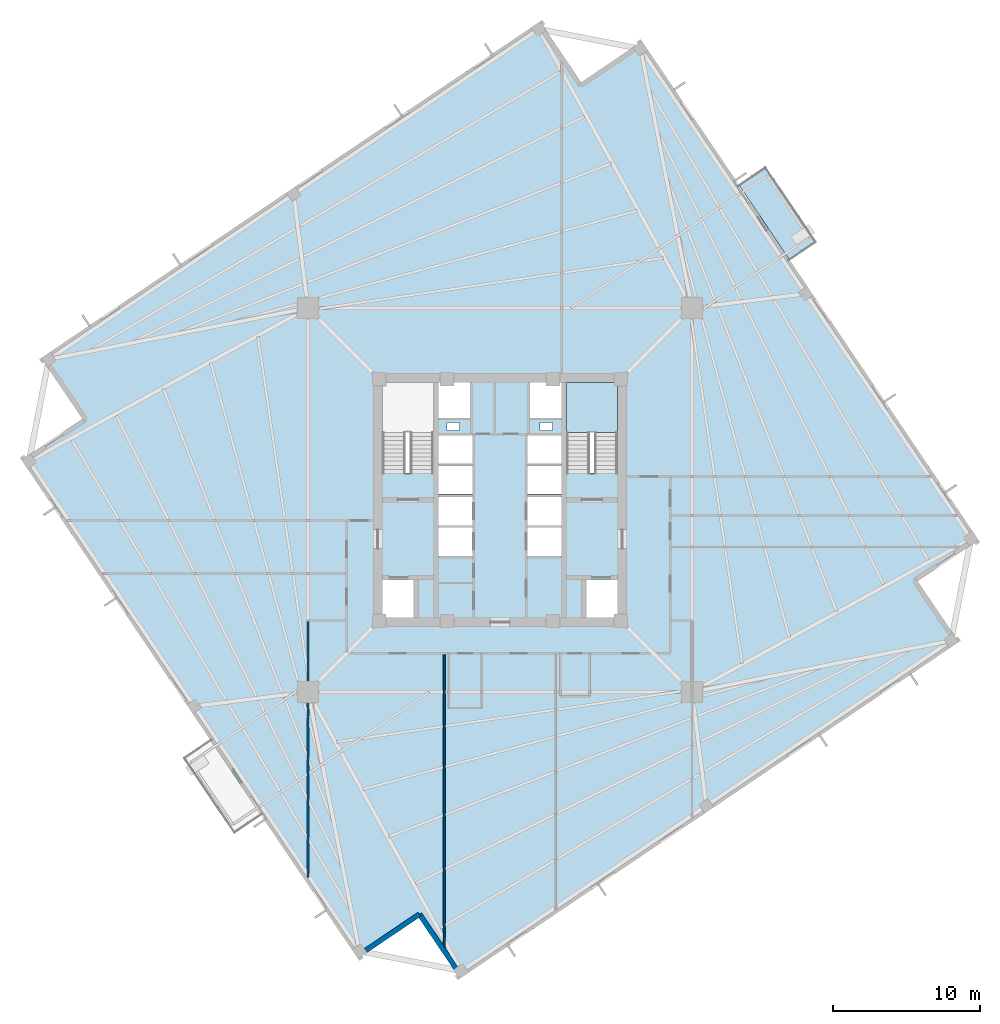
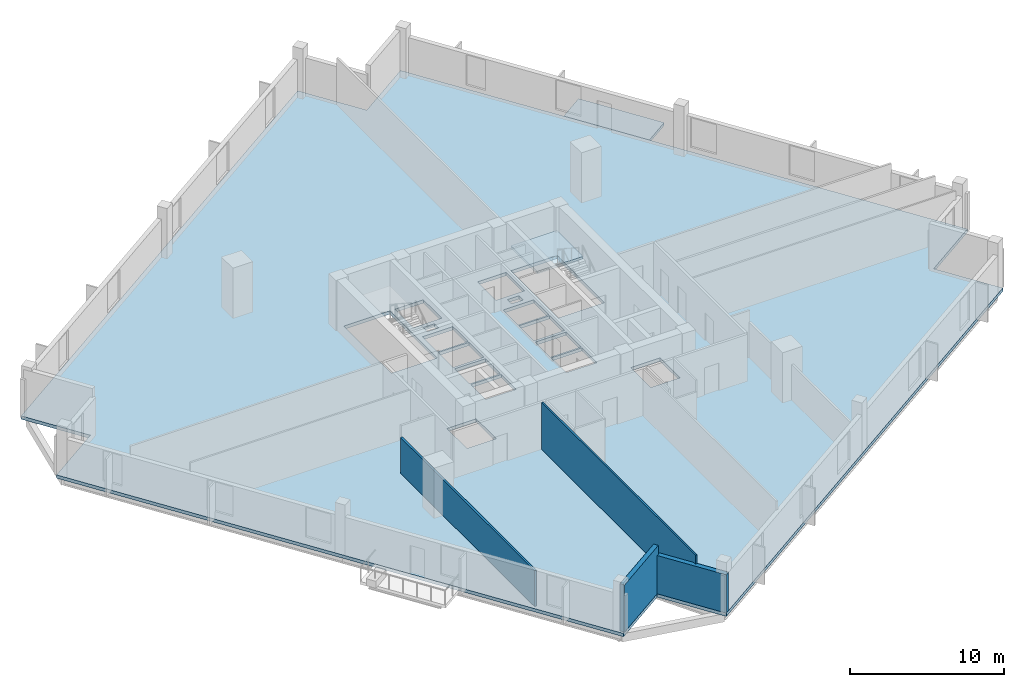
# One storey, part 2 of 9: 4 walls, 3 slabs, 1 element without a shape of its own.
"""IFC4 building model written with IfcOpenShell, lengths in metres."""

import ifcopenshell
import ifcopenshell.guid

model = None  # the IFC model being written
_history = None  # IfcOwnerHistory: only IFC2X3 demands one
_inside = {}  # id of a spatial element -> (the spatial element, [elements in it])
_under = {}  # id of a project, library or spatial element -> (it, [spatial elements below it])
_declared = {}  # id of a project -> (the project, [libraries it declares])
_typed = {}  # id of a type object -> (the type object, [elements of that type])
_made_of = {}  # id of a material, layer set ... -> (it, [elements and type objects made of it])


def new_model(schema):
    """Start an empty IFC model of exactly this schema.

    Asked for "IFC4X3", IfcOpenShell would pick the latest addendum, in which some entities
    have other attributes; the version numbers below select the first issue.
    IFC2X3 requires an IfcOwnerHistory on every rooted entity: one is made here for all.
    """
    global model, _history
    if schema == "IFC4X3":
        model = ifcopenshell.file(schema_version=(4, 3, 0, 0))
    else:
        model = ifcopenshell.file(schema=schema)
    _inside.clear()
    _under.clear()
    _declared.clear()
    _typed.clear()
    _made_of.clear()
    _history = None
    if model.schema == "IFC2X3":
        org = make("IfcOrganization", Name="unknown")
        user = make(
            "IfcPersonAndOrganization",
            ThePerson=make("IfcPerson", FamilyName="unknown"),
            TheOrganization=org,
        )
        app = make(
            "IfcApplication",
            ApplicationDeveloper=org,
            Version="unknown",
            ApplicationFullName="unknown",
            ApplicationIdentifier="unknown",
        )
        _history = make(
            "IfcOwnerHistory",
            OwningUser=user,
            OwningApplication=app,
            ChangeAction="ADDED",
            CreationDate=0,
        )
    return model


def make(cls, **values):
    """One entity of the class cls with the attributes given. An attribute that is None is left unset."""
    return model.create_entity(
        cls, **{name: value for name, value in values.items() if value is not None}
    )


def rooted(cls, **values):
    """An entity with a GlobalId (a new one), such as an element, a storey or a relation."""
    return make(cls, GlobalId=ifcopenshell.guid.new(), OwnerHistory=_history, **values)


def si_unit(unit_type, name, prefix=None):
    """IfcSIUnit, for example si_unit("LENGTHUNIT", "METRE", prefix="MILLI")."""
    return make("IfcSIUnit", UnitType=unit_type, Prefix=prefix, Name=name)


def assignment(units):
    """IfcUnitAssignment: the units of a project."""
    return None if units is None else make("IfcUnitAssignment", Units=units)


def point(xyz):
    """IfcCartesianPoint."""
    return None if xyz is None else make("IfcCartesianPoint", Coordinates=xyz)


def direction(xyz):
    """IfcDirection."""
    return None if xyz is None else make("IfcDirection", DirectionRatios=xyz)


def frame(location, z_axis=None, x_axis=None):
    """IfcAxis2Placement3D, a coordinate frame: its origin and axes. An axis left out is left unset."""
    return make(
        "IfcAxis2Placement3D",
        Location=point(location),
        Axis=direction(z_axis),
        RefDirection=direction(x_axis),
    )


def frame_2d(location, x_axis=None):
    """IfcAxis2Placement2D, a coordinate frame in the plane: its origin and x axis."""
    return make(
        "IfcAxis2Placement2D", Location=point(location), RefDirection=direction(x_axis)
    )


def origin():
    """The frame at (0, 0, 0) with its axes left unset."""
    return frame((0.0, 0.0, 0.0))


def place(relative_to, where):
    """IfcLocalPlacement: puts the frame where relative to a parent placement (None: the world)."""
    return make(
        "IfcLocalPlacement", PlacementRelTo=relative_to, RelativePlacement=where
    )


def context(
    kind, dimensions, precision=None, world=None, true_north=None, identifier=None
):
    """IfcGeometricRepresentationContext, for example the 3D "Model" context."""
    return make(
        "IfcGeometricRepresentationContext",
        ContextIdentifier=identifier,
        ContextType=kind,
        CoordinateSpaceDimension=dimensions,
        Precision=precision,
        WorldCoordinateSystem=world,
        TrueNorth=true_north,
    )


def subcontext(parent, identifier, kind, view, scale=None):
    """IfcGeometricRepresentationSubContext, for example "Body" below "Model"."""
    return make(
        "IfcGeometricRepresentationSubContext",
        ContextIdentifier=identifier,
        ContextType=kind,
        ParentContext=parent,
        TargetScale=scale,
        TargetView=view,
    )


def project(units=None, contexts=None):
    """IfcProject with its units and contexts."""
    return rooted(
        "IfcProject",
        Name="project",
        RepresentationContexts=contexts,
        UnitsInContext=assignment(units),
    )


def spatial(cls, under=None, at=None, **own):
    """A site, building, storey or space (cls), placed at a placement, below another one or the project."""
    s = rooted(cls, ObjectPlacement=at, **own)
    if under is not None:
        _under.setdefault(under.id(), (under, []))[1].append(s)
    return s


def polyline(points):
    """IfcPolyline through the points."""
    return make("IfcPolyline", Points=[point(p) for p in points])


def profile(cls, at=None, kind="AREA", **sizes):
    """A parametric profile (cls). Its sizes go by their IFC names, for example OverallWidth=200.0."""
    return make(cls, ProfileType=kind, Position=at, **sizes)


def rectangle(**sizes):
    """IfcRectangleProfileDef."""
    return profile("IfcRectangleProfileDef", **sizes)


def outline(outer, holes=None, kind="AREA"):
    """IfcArbitraryClosedProfileDef: a profile drawn as a closed curve; with holes, ...WithVoids."""
    if holes is None:
        return make("IfcArbitraryClosedProfileDef", ProfileType=kind, OuterCurve=outer)
    return make(
        "IfcArbitraryProfileDefWithVoids",
        ProfileType=kind,
        OuterCurve=outer,
        InnerCurves=holes,
    )


def extrude(swept, where, along, depth):
    """IfcExtrudedAreaSolid: the profile swept, set in the frame where, extruded along a direction by depth."""
    return make(
        "IfcExtrudedAreaSolid",
        SweptArea=swept,
        Position=where,
        ExtrudedDirection=direction(along),
        Depth=depth,
    )


def shape(context_of_items, identifier, shape_type, items):
    """IfcShapeRepresentation: the items that make up one representation, for example the "Body"."""
    return make(
        "IfcShapeRepresentation",
        ContextOfItems=context_of_items,
        RepresentationIdentifier=identifier,
        RepresentationType=shape_type,
        Items=items,
    )


def material(Name=None, Category=None):
    """IfcMaterial."""
    return make("IfcMaterial", Name=Name, Category=Category)


def layer(
    of_material, thickness, ventilated=None, Name=None, Category=None, Priority=None
):
    """IfcMaterialLayer: one layer of a wall or slab, of a material (None: an air gap)."""
    return make(
        "IfcMaterialLayer",
        Material=of_material,
        LayerThickness=thickness,
        IsVentilated=ventilated,
        Name=Name,
        Category=Category,
        Priority=Priority,
    )


def layer_set(layers, Name=None):
    """IfcMaterialLayerSet."""
    return make("IfcMaterialLayerSet", MaterialLayers=layers, LayerSetName=Name)


def made_of(thing, what):
    """Note that an element or type object is made of a material, layer set ...; save() writes the relation."""
    if what is not None:
        _made_of.setdefault(what.id(), (what, []))[1].append(thing)
    return thing


def type_object(cls, material=None, **own):
    """A type object (cls), such as IfcWallType, which elements share."""
    return made_of(rooted(cls, **own), material)


def element(
    cls,
    number,
    at=None,
    inside=None,
    cuts=None,
    type_object=None,
    material=None,
    context=None,
    identifier="Body",
    shape_type=None,
    held_by="IfcProductDefinitionShape",
    body=None,
    shapes=None,
    **own,
):
    """One element of the class cls, such as IfcWall. Its Tag is "e" and its number.

    at: its placement. inside: the storey or other place that contains it. cuts: it is an
    opening in that element (IfcRelVoidsElement). A single representation is given by context,
    identifier, shape_type and body (its items); several are given by shapes. held_by: the class
    of the entity that holds the representations. save() writes the other relations.
    """
    e = rooted(cls, Tag="e%d" % number, ObjectPlacement=at, **own)
    if body is not None:
        shapes = [shape(context, identifier, shape_type, body)]
    if shapes is not None:
        e.Representation = make(held_by, Representations=shapes)
    if inside is not None:
        _inside.setdefault(inside.id(), (inside, []))[1].append(e)
    if cuts is not None:
        rooted(
            "IfcRelVoidsElement", RelatingBuildingElement=cuts, RelatedOpeningElement=e
        )
    if type_object is not None:
        _typed.setdefault(type_object.id(), (type_object, []))[1].append(e)
    return made_of(e, material)


def aggregate(whole, parts):
    """IfcRelAggregates: a whole, such as a stair, and the parts it consists of."""
    return rooted("IfcRelAggregates", RelatingObject=whole, RelatedObjects=parts)


def save(model, path):
    """Write the relations noted so far, then the file.

    IfcRelAggregates (storeys below a building ...), IfcRelContainedInSpatialStructure (elements
    in a storey), IfcRelDefinesByType, IfcRelAssociatesMaterial and IfcRelDeclares: one each for
    every whole, place, type object, material and project.
    """
    for whole, parts in _under.values():
        aggregate(whole, parts)
    for where, things in _inside.values():
        rooted(
            "IfcRelContainedInSpatialStructure",
            RelatedElements=things,
            RelatingStructure=where,
        )
    for kind, things in _typed.values():
        rooted("IfcRelDefinesByType", RelatedObjects=things, RelatingType=kind)
    for what, things in _made_of.values():
        rooted("IfcRelAssociatesMaterial", RelatedObjects=things, RelatingMaterial=what)
    for by, libraries in _declared.values():
        rooted("IfcRelDeclares", RelatingContext=by, RelatedDefinitions=libraries)
    model.write(path)


model = new_model("IFC4")

# Units and contexts
model_context = context("Model", 3, precision=1e-05, world=origin(), true_north=direction((0.0, 1.0)))
body_context = subcontext(model_context, "Body", "Model", "MODEL_VIEW")
ifc_project = project(units=[si_unit("LENGTHUNIT", "METRE"), si_unit("AREAUNIT", "SQUARE_METRE"), si_unit("VOLUMEUNIT", "CUBIC_METRE"), si_unit("PLANEANGLEUNIT", "RADIAN"), si_unit("MASSUNIT", "GRAM", prefix="KILO"), si_unit("THERMODYNAMICTEMPERATUREUNIT", "KELVIN")], contexts=[model_context])

# Site, building, storey
site_placement = place(None, origin())
site = spatial("IfcSite", under=ifc_project, at=site_placement, CompositionType="ELEMENT")
building_placement = place(site_placement, origin())
building = spatial("IfcBuilding", under=site, at=building_placement, Name="Kosmvard Interchange Tower", CompositionType="ELEMENT")
storey_placement = place(building_placement, frame((0.0, 0.0, 168.39990234375)))
storey = spatial("IfcBuildingStorey", under=building, at=storey_placement, Name="L40", CompositionType="ELEMENT", Elevation=168.39990234375)

# Slab
ifc_material_1 = material(Name="Concrete C50/60", Category="concrete")
ifc_layer_1 = layer(ifc_material_1, 0.260009765625, Name="Concrete C50/60")
ifc_layer_set_1 = layer_set([ifc_layer_1], Name="Concrete C50/60")
slab_type_1 = type_object("IfcSlabType", Name="Mid-Rise Office Composite Slab 260 C50/60", PredefinedType="FLOOR", material=ifc_layer_set_1)
slab_1_placement = place(storey_placement, frame((0.0, 0.0, -0.260009765625)))
element("IfcSlab", 1, at=slab_1_placement, inside=storey, type_object=slab_type_1, Name="L40 Structural Floor Slab", PredefinedType="FLOOR", context=body_context, shape_type="SweptSolid", body=[
    extrude(outline(polyline([(-2.73583984375, -32.60400390625), (31.254638671875, -9.677001953125), (28.458740234375, -5.53173828125), (32.60400390625, -2.73583984375), (9.677001953125, 31.254638671875), (5.53173828125, 28.458740234375), (2.73583984375, 32.60400390625), (-31.254638671875, 9.677001953125), (-28.458740234375, 5.53173828125), (-32.60400390625, 2.73583984375), (-9.677001953125, -31.254638671875), (-5.53173828125, -28.458740234375), (-2.73583984375, -32.60400390625)]), holes=[polyline([(-8.0, 1.8349609375), (-4.5400390625, 1.8349609375), (-4.5400390625, 8.0), (-8.0, 8.0), (-8.0, 1.8349609375)]), polyline([(4.5400390625, 1.8349609375), (8.0, 1.8349609375), (8.0, 8.0), (4.5400390625, 8.0), (4.5400390625, 1.8349609375)]), polyline([(-8.0, -8.0), (-5.800048828125, -8.0), (-5.800048828125, -5.39990234375), (-8.0, -5.39990234375), (-8.0, -8.0)]), polyline([(5.800048828125, -8.0), (8.0, -8.0), (8.0, -5.39990234375), (5.800048828125, -5.39990234375), (5.800048828125, -8.0)]), polyline([(-4.179931640625, -3.800048828125), (-1.8798828125, -3.800048828125), (-1.8798828125, -1.860107421875), (-4.179931640625, -1.860107421875), (-4.179931640625, -3.800048828125)]), polyline([(-4.179931640625, -1.739990234375), (-1.8798828125, -1.739990234375), (-1.8798828125, 0.199951171875), (-4.179931640625, 0.199951171875), (-4.179931640625, -1.739990234375)]), polyline([(1.8798828125, -3.800048828125), (4.179931640625, -3.800048828125), (4.179931640625, -1.860107421875), (1.8798828125, -1.860107421875), (1.8798828125, -3.800048828125)]), polyline([(1.8798828125, -1.739990234375), (4.179931640625, -1.739990234375), (4.179931640625, 0.199951171875), (1.8798828125, 0.199951171875), (1.8798828125, -1.739990234375)]), polyline([(-4.179931640625, 0.39990234375), (-1.8798828125, 0.39990234375), (-1.8798828125, 2.340087890625), (-4.179931640625, 2.340087890625), (-4.179931640625, 0.39990234375)]), polyline([(-4.179931640625, 2.4599609375), (-1.8798828125, 2.4599609375), (-1.8798828125, 4.39990234375), (-4.179931640625, 4.39990234375), (-4.179931640625, 2.4599609375)]), polyline([(1.8798828125, 0.39990234375), (4.179931640625, 0.39990234375), (4.179931640625, 2.340087890625), (1.8798828125, 2.340087890625), (1.8798828125, 0.39990234375)]), polyline([(1.8798828125, 2.4599609375), (4.179931640625, 2.4599609375), (4.179931640625, 4.39990234375), (1.8798828125, 4.39990234375), (1.8798828125, 2.4599609375)]), polyline([(-4.179931640625, 5.60009765625), (-2.0400390625, 5.60009765625), (-2.0400390625, 8.0), (-4.179931640625, 8.0), (-4.179931640625, 5.60009765625)]), polyline([(2.0400390625, 5.60009765625), (4.179931640625, 5.60009765625), (4.179931640625, 8.0), (2.0400390625, 8.0), (2.0400390625, 5.60009765625)]), polyline([(-3.614990234375, 4.739990234375), (-2.764892578125, 4.739990234375), (-2.764892578125, 5.2900390625), (-3.614990234375, 5.2900390625), (-3.614990234375, 4.739990234375)]), polyline([(2.715087890625, 4.739990234375), (3.56494140625, 4.739990234375), (3.56494140625, 5.2900390625), (2.715087890625, 5.2900390625), (2.715087890625, 4.739990234375)])]), origin(), (0.0, 0.0, 1.0), 0.260009765625),
])

# Stair, slab
stair_type = type_object("IfcStairType", Name="Dog-Leg Core Exit Stair H4000 C50/60", PredefinedType="HALF_TURN_STAIR", material=ifc_material_1)
stair_placement = place(storey_placement, origin())
stair = element("IfcStair", 2, at=stair_placement, inside=storey, type_object=stair_type, Name="L40 Protected Exit Stair ST-2", PredefinedType="HALF_TURN_STAIR")
ifc_layer_2 = layer(ifc_material_1, 0.199951171875, Name="Concrete C50/60")
ifc_layer_set_2 = layer_set([ifc_layer_2], Name="Concrete C50/60")
slab_type_2 = type_object("IfcSlabType", Name="Stair Half-Landing Slab 200 C50/60", PredefinedType="LANDING", material=ifc_layer_set_2)
slab_2_placement = place(storey_placement, frame((0.0, 0.0, 1.800048828125)))
slab_2 = element("IfcSlab", 3, at=slab_2_placement, type_object=slab_type_2, Name="ST-2 landing 1", PredefinedType="LANDING", context=body_context, shape_type="SweptSolid", body=[
    extrude(outline(polyline([(8.0, 4.60009765625), (8.0, 8.0), (4.5400390625, 8.0), (4.5400390625, 4.60009765625), (8.0, 4.60009765625)])), origin(), (0.0, 0.0, 1.0), 0.199951171875),
])
aggregate(stair, [slab_2])

# Slab
ifc_layer_3 = layer(ifc_material_1, 0.22998046875, Name="Concrete C50/60")
ifc_layer_set_3 = layer_set([ifc_layer_3], Name="Concrete C50/60")
slab_type_3 = type_object("IfcSlabType", Name="Tree-Planter Cantilever Balcony Slab 230 C50/60", PredefinedType="FLOOR", material=ifc_layer_set_3)
slab_3_placement = place(storey_placement, frame((0.0, 0.0, -0.22998046875)))
element("IfcSlab", 4, at=slab_3_placement, inside=storey, type_object=slab_type_3, Name="L40 Outdoor Terrace Balcony Slab BAL-L40-E", PredefinedType="FLOOR", context=body_context, shape_type="SweptSolid", body=[
    extrude(outline(polyline([(19.742431640625, 16.33203125), (21.56640625, 17.562255859375), (18.099365234375, 22.702392578125), (16.275390625, 21.47216796875), (19.742431640625, 16.33203125)])), origin(), (0.0, 0.0, 1.0), 0.22998046875),
])

# Walls
ifc_material_2 = material(Name="Acoustic gypsum partition system")
ifc_layer_4 = layer(ifc_material_2, 0.14990234375, Name="Acoustic gypsum partition system")
ifc_layer_set_4 = layer_set([ifc_layer_4], Name="Acoustic gypsum partition system")
wall_type_1 = type_object("IfcWallType", Name="Acoustic Suite & Meeting Partition 150", PredefinedType="PARTITIONING", material=ifc_layer_set_4)
wall_1_placement = place(storey_placement, frame((-13.0810546875, -8.27490234375, 0.0), z_axis=(0.0, 0.0, 1.0), x_axis=(0.0, -1.0, 0.0)))
element("IfcWall", 5, at=wall_1_placement, inside=storey, type_object=wall_type_1, Name="L40 Room Partition 06.1", PredefinedType="PARTITIONING", context=body_context, shape_type="SweptSolid", body=[
    extrude(rectangle(XDim=17.44140625, YDim=0.14990234375, at=frame_2d((8.720703125, 0.0))), origin(), (0.0, 0.0, 1.0), 2.840087890625),
])
ifc_material_3 = material(Name="Precast concrete C45/55", Category="concrete")
ifc_layer_5 = layer(ifc_material_3, 0.340087890625, Name="Precast concrete C45/55")
ifc_layer_set_5 = layer_set([ifc_layer_5], Name="Precast concrete C45/55")
wall_type_2 = type_object("IfcWallType", Name="Mid Tower Precast Pier Wall 340 C45/55", PredefinedType="STANDARD", material=ifc_layer_set_5)
wall_2_placement = place(storey_placement, frame((-9.631103515625, -31.018798828125, 0.0), z_axis=(0.0, 0.0, 1.0), x_axis=(0.829025804298, 0.559210350234, 0.0)))
element("IfcWall", 6, at=wall_2_placement, inside=storey, type_object=wall_type_2, Name="L40 Precast Facade Wall N-SW1", PredefinedType="STANDARD", context=body_context, shape_type="SweptSolid", body=[
    extrude(rectangle(XDim=5.000244140625, YDim=0.340087890625, at=frame_2d((2.5, 0.0))), origin(), (0.0, 0.0, 1.0), 3.739990234375),
])
wall_3_placement = place(storey_placement, frame((-5.48583984375, -28.22265625, 0.0), z_axis=(0.0, 0.0, 1.0), x_axis=(0.559171107879, -0.82905227345, 0.0)))
element("IfcWall", 7, at=wall_3_placement, inside=storey, type_object=wall_type_2, Name="L40 Precast Facade Wall N-SW2", PredefinedType="STANDARD", context=body_context, shape_type="SweptSolid", body=[
    extrude(rectangle(XDim=5.169921875, YDim=0.340087890625, at=frame_2d((2.5849609375, 0.0))), origin(), (0.0, 0.0, 1.0), 3.0400390625),
])
ifc_material_4 = material(Name="Gypsum board partition system")
ifc_layer_6 = layer(ifc_material_4, 0.1201171875, Name="Gypsum board partition system")
ifc_layer_set_6 = layer_set([ifc_layer_6], Name="Gypsum board partition system")
wall_type_3 = type_object("IfcWallType", Name="Office Cellular Partition 120", PredefinedType="PARTITIONING", material=ifc_layer_set_6)
wall_4_placement = place(storey_placement, frame((-3.800048828125, -30.534423828125, 0.0), z_axis=(0.0, 0.0, 1.0), x_axis=(0.0, 1.0, 0.0)))
element("IfcWall", 8, at=wall_4_placement, inside=storey, type_object=wall_type_3, Name="L40 Room Partition 08.1", PredefinedType="PARTITIONING", context=body_context, shape_type="SweptSolid", body=[
    extrude(rectangle(XDim=19.989501953125, YDim=0.1201171875, at=frame_2d((9.99462890625, 0.0))), origin(), (0.0, 0.0, 1.0), 3.739990234375),
])

save(model, "model.ifc")
